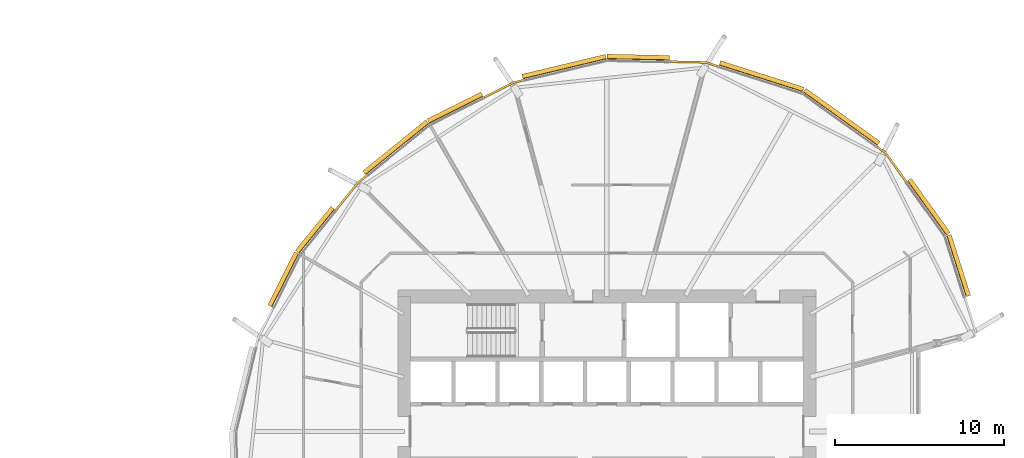
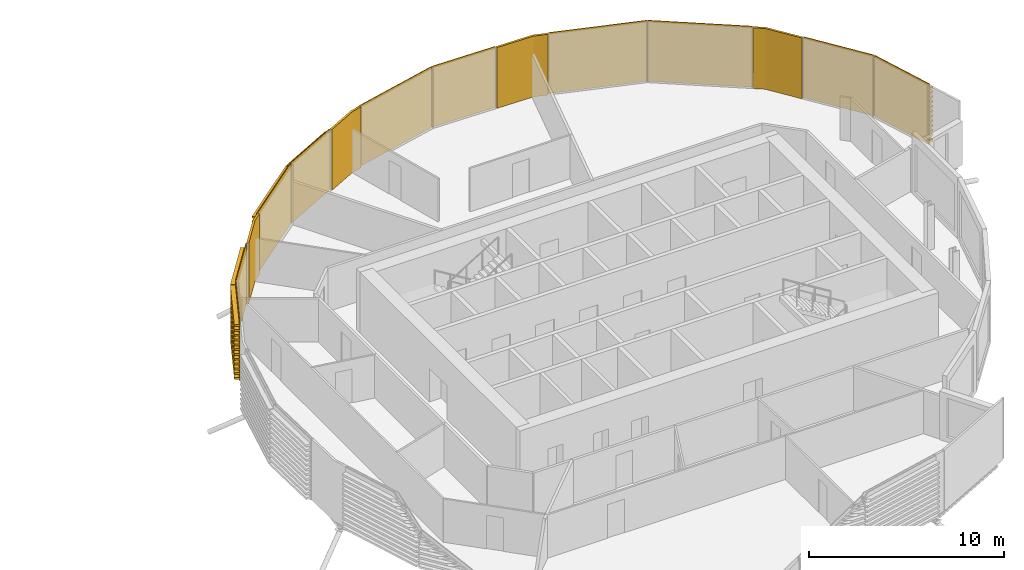
# One storey, part 38 of 38: 14 coverings.
"""IFC4 building model written with IfcOpenShell, lengths in metres."""

from ifc_helpers import new_model, si_unit, direction, frame, origin, place, context, subcontext, project, spatial, polyline, outline, extrude, material, layer, layer_set, material_profile, profile_set, type_object, element, save


model = new_model("IFC4")

# Units and contexts
model_context = context("Model", 3, precision=1e-05, world=origin(), true_north=direction((0.0, 1.0)))
body_context = subcontext(model_context, "Body", "Model", "MODEL_VIEW")
ifc_project = project(units=[si_unit("LENGTHUNIT", "METRE"), si_unit("AREAUNIT", "SQUARE_METRE"), si_unit("VOLUMEUNIT", "CUBIC_METRE"), si_unit("PLANEANGLEUNIT", "RADIAN"), si_unit("MASSUNIT", "GRAM", prefix="KILO")], contexts=[model_context])

# Site, building, storey
site_placement = place(None, origin())
site = spatial("IfcSite", under=ifc_project, at=site_placement, CompositionType="ELEMENT")
building_placement = place(site_placement, origin())
building = spatial("IfcBuilding", under=site, at=building_placement, Name="Rimbun Link Towers", CompositionType="ELEMENT")
storey_placement = place(building_placement, frame((0.0, 0.0, 108.199951171875)))
storey = spatial("IfcBuildingStorey", under=building, at=storey_placement, Name="L26", CompositionType="ELEMENT", Elevation=108.199951171875)

# Coverings
ifc_material_1 = material(Name="Terracotta", Category="masonry")
ifc_layer = layer(ifc_material_1, 0.1201171875)
ifc_layer_set = layer_set([ifc_layer], Name="LINK PIER terracotta cladding 120")
covering_type_1 = type_object("IfcCoveringType", Name="LINK PIER terracotta cladding 120", PredefinedType="CLADDING", material=ifc_layer_set)
covering_1_placement = place(storey_placement, origin())
element("IfcCovering", 1, at=covering_1_placement, inside=storey, type_object=covering_type_1, Name="LINK PIER cladding", PredefinedType="CLADDING", context=body_context, shape_type="SweptSolid", body=[
    extrude(outline(polyline([(47.70947265625, 16.82470703125), (48.21337890625, 16.46337890625), (49.420166015625, 14.781494140625), (49.517578125, 14.8515625), (48.29931640625, 16.54931640625), (47.779541015625, 16.92236328125), (47.70947265625, 16.82470703125)])), origin(), (0.0, 0.0, 1.0), 3.800048828125),
])
covering_2_placement = place(storey_placement, origin())
element("IfcCovering", 2, at=covering_2_placement, inside=storey, type_object=covering_type_1, Name="LINK PIER cladding", PredefinedType="CLADDING", context=body_context, shape_type="SweptSolid", body=[
    extrude(outline(polyline([(35.473388671875, 21.85107421875), (37.593017578125, 21.806396484375), (38.326904296875, 21.5732421875), (38.363037109375, 21.6875), (37.61279296875, 21.926025390625), (35.47607421875, 21.97119140625), (35.473388671875, 21.85107421875)])), origin(), (0.0, 0.0, 1.0), 3.800048828125),
])
covering_3_placement = place(storey_placement, origin())
element("IfcCovering", 3, at=covering_3_placement, inside=storey, type_object=covering_type_1, Name="LINK PIER cladding", PredefinedType="CLADDING", context=body_context, shape_type="SweptSolid", body=[
    extrude(outline(polyline([(24.511962890625, 19.747314453125), (26.227783203125, 20.60888671875), (26.7822265625, 20.741455078125), (26.754150390625, 20.8583984375), (26.186279296875, 20.722412109375), (24.458251953125, 19.8544921875), (24.511962890625, 19.747314453125)])), origin(), (0.0, 0.0, 1.0), 3.800048828125),
])
covering_4_placement = place(storey_placement, origin())
element("IfcCovering", 4, at=covering_4_placement, inside=storey, type_object=covering_type_1, Name="LINK PIER cladding", PredefinedType="CLADDING", context=body_context, shape_type="SweptSolid", body=[
    extrude(outline(polyline([(15.748291015625, 13.09033203125), (17.050537109375, 14.699462890625), (17.532470703125, 15.08935546875), (17.45703125, 15.182861328125), (16.96533203125, 14.78466796875), (15.655029296875, 13.166015625), (15.748291015625, 13.09033203125)])), origin(), (0.0, 0.0, 1.0), 3.800048828125),
])
ifc_material_2 = material(Name="Terracotta", Category="masonry")
ifc_material_profile = material_profile(ifc_material_2, outline(polyline([(0.123046875, 0.0), (0.1630859375, 0.0), (0.1630859375, 0.10009765625), (0.423095703125, 0.10009765625), (0.423095703125, 0.219970703125), (0.1630859375, 0.219970703125), (0.1630859375, 0.39990234375), (0.423095703125, 0.39990234375), (0.423095703125, 0.52001953125), (0.1630859375, 0.52001953125), (0.1630859375, 0.699951171875), (0.423095703125, 0.699951171875), (0.423095703125, 0.820068359375), (0.1630859375, 0.820068359375), (0.1630859375, 1.0), (0.423095703125, 1.0), (0.423095703125, 1.1201171875), (0.1630859375, 1.1201171875), (0.1630859375, 1.300048828125), (0.423095703125, 1.300048828125), (0.423095703125, 1.419921875), (0.1630859375, 1.419921875), (0.1630859375, 1.60009765625), (0.423095703125, 1.60009765625), (0.423095703125, 1.719970703125), (0.1630859375, 1.719970703125), (0.1630859375, 1.89990234375), (0.423095703125, 1.89990234375), (0.423095703125, 2.02001953125), (0.1630859375, 2.02001953125), (0.1630859375, 2.199951171875), (0.423095703125, 2.199951171875), (0.423095703125, 2.320068359375), (0.1630859375, 2.320068359375), (0.1630859375, 2.5), (0.423095703125, 2.5), (0.423095703125, 2.6201171875), (0.1630859375, 2.6201171875), (0.1630859375, 2.800048828125), (0.423095703125, 2.800048828125), (0.423095703125, 2.919921875), (0.1630859375, 2.919921875), (0.1630859375, 3.10009765625), (0.423095703125, 3.10009765625), (0.423095703125, 3.219970703125), (0.1630859375, 3.219970703125), (0.1630859375, 3.39990234375), (0.423095703125, 3.39990234375), (0.423095703125, 3.52001953125), (0.1630859375, 3.52001953125), (0.1630859375, 3.800048828125), (0.123046875, 3.800048828125), (0.123046875, 0.0)])), Name="BAGUETTE 120X300")
ifc_profile_set = profile_set([ifc_material_profile], Name="Terracotta")
covering_type_2 = type_object("IfcCoveringType", Name="TERRACOTTA BAGUETTE 120X300 H3800", PredefinedType="CLADDING", material=ifc_profile_set)
covering_5_placement = place(storey_placement, frame((43.29345703125, 19.99365234375, 0.0), z_axis=(0.812477325977, -0.582992791356, 0.0), x_axis=(0.582992791356, 0.812477325977, 0.0)))
element("IfcCovering", 5, at=covering_5_placement, inside=storey, type_object=covering_type_2, Name="TERRACOTTA BAGUETTE", PredefinedType="CLADDING", context=body_context, shape_type="SweptSolid", body=[
    extrude(outline(polyline([(0.123046875, 0.0), (0.1630859375, 0.0), (0.1630859375, 0.10009765625), (0.423095703125, 0.10009765625), (0.423095703125, 0.219970703125), (0.1630859375, 0.219970703125), (0.1630859375, 0.39990234375), (0.423095703125, 0.39990234375), (0.423095703125, 0.52001953125), (0.1630859375, 0.52001953125), (0.1630859375, 0.699951171875), (0.423095703125, 0.699951171875), (0.423095703125, 0.820068359375), (0.1630859375, 0.820068359375), (0.1630859375, 1.0), (0.423095703125, 1.0), (0.423095703125, 1.1201171875), (0.1630859375, 1.1201171875), (0.1630859375, 1.300048828125), (0.423095703125, 1.300048828125), (0.423095703125, 1.419921875), (0.1630859375, 1.419921875), (0.1630859375, 1.60009765625), (0.423095703125, 1.60009765625), (0.423095703125, 1.719970703125), (0.1630859375, 1.719970703125), (0.1630859375, 1.89990234375), (0.423095703125, 1.89990234375), (0.423095703125, 2.02001953125), (0.1630859375, 2.02001953125), (0.1630859375, 2.199951171875), (0.423095703125, 2.199951171875), (0.423095703125, 2.320068359375), (0.1630859375, 2.320068359375), (0.1630859375, 2.5), (0.423095703125, 2.5), (0.423095703125, 2.6201171875), (0.1630859375, 2.6201171875), (0.1630859375, 2.800048828125), (0.423095703125, 2.800048828125), (0.423095703125, 2.919921875), (0.1630859375, 2.919921875), (0.1630859375, 3.10009765625), (0.423095703125, 3.10009765625), (0.423095703125, 3.219970703125), (0.1630859375, 3.219970703125), (0.1630859375, 3.39990234375), (0.423095703125, 3.39990234375), (0.423095703125, 3.52001953125), (0.1630859375, 3.52001953125), (0.1630859375, 3.800048828125), (0.123046875, 3.800048828125), (0.123046875, 0.0)])), origin(), (0.0, 0.0, 1.0), 5.405517578125),
])
covering_6_placement = place(storey_placement, frame((38.35546875, 21.56396484375, 0.0), z_axis=(0.952974033405, -0.303051961973, 0.0), x_axis=(0.303051961973, 0.952974033405, 0.0)))
element("IfcCovering", 6, at=covering_6_placement, inside=storey, type_object=covering_type_2, Name="TERRACOTTA BAGUETTE", PredefinedType="CLADDING", context=body_context, shape_type="SweptSolid", body=[
    extrude(outline(polyline([(0.123046875, 0.0), (0.1630859375, 0.0), (0.1630859375, 0.10009765625), (0.423095703125, 0.10009765625), (0.423095703125, 0.219970703125), (0.1630859375, 0.219970703125), (0.1630859375, 0.39990234375), (0.423095703125, 0.39990234375), (0.423095703125, 0.52001953125), (0.1630859375, 0.52001953125), (0.1630859375, 0.699951171875), (0.423095703125, 0.699951171875), (0.423095703125, 0.820068359375), (0.1630859375, 0.820068359375), (0.1630859375, 1.0), (0.423095703125, 1.0), (0.423095703125, 1.1201171875), (0.1630859375, 1.1201171875), (0.1630859375, 1.300048828125), (0.423095703125, 1.300048828125), (0.423095703125, 1.419921875), (0.1630859375, 1.419921875), (0.1630859375, 1.60009765625), (0.423095703125, 1.60009765625), (0.423095703125, 1.719970703125), (0.1630859375, 1.719970703125), (0.1630859375, 1.89990234375), (0.423095703125, 1.89990234375), (0.423095703125, 2.02001953125), (0.1630859375, 2.02001953125), (0.1630859375, 2.199951171875), (0.423095703125, 2.199951171875), (0.423095703125, 2.320068359375), (0.1630859375, 2.320068359375), (0.1630859375, 2.5), (0.423095703125, 2.5), (0.423095703125, 2.6201171875), (0.1630859375, 2.6201171875), (0.1630859375, 2.800048828125), (0.423095703125, 2.800048828125), (0.423095703125, 2.919921875), (0.1630859375, 2.919921875), (0.1630859375, 3.10009765625), (0.423095703125, 3.10009765625), (0.423095703125, 3.219970703125), (0.1630859375, 3.219970703125), (0.1630859375, 3.39990234375), (0.423095703125, 3.39990234375), (0.423095703125, 3.52001953125), (0.1630859375, 3.52001953125), (0.1630859375, 3.800048828125), (0.123046875, 3.800048828125), (0.123046875, 0.0)])), origin(), (0.0, 0.0, 1.0), 5.181640625),
])
covering_7_placement = place(storey_placement, frame((31.75, 21.9296875, 0.0), z_axis=(0.999777749096, -0.021082040056, 0.0), x_axis=(0.021082040056, 0.999777749096, 0.0)))
element("IfcCovering", 7, at=covering_7_placement, inside=storey, type_object=covering_type_2, Name="TERRACOTTA BAGUETTE", PredefinedType="CLADDING", context=body_context, shape_type="SweptSolid", body=[
    extrude(outline(polyline([(0.123046875, 0.0), (0.1630859375, 0.0), (0.1630859375, 0.10009765625), (0.423095703125, 0.10009765625), (0.423095703125, 0.219970703125), (0.1630859375, 0.219970703125), (0.1630859375, 0.39990234375), (0.423095703125, 0.39990234375), (0.423095703125, 0.52001953125), (0.1630859375, 0.52001953125), (0.1630859375, 0.699951171875), (0.423095703125, 0.699951171875), (0.423095703125, 0.820068359375), (0.1630859375, 0.820068359375), (0.1630859375, 1.0), (0.423095703125, 1.0), (0.423095703125, 1.1201171875), (0.1630859375, 1.1201171875), (0.1630859375, 1.300048828125), (0.423095703125, 1.300048828125), (0.423095703125, 1.419921875), (0.1630859375, 1.419921875), (0.1630859375, 1.60009765625), (0.423095703125, 1.60009765625), (0.423095703125, 1.719970703125), (0.1630859375, 1.719970703125), (0.1630859375, 1.89990234375), (0.423095703125, 1.89990234375), (0.423095703125, 2.02001953125), (0.1630859375, 2.02001953125), (0.1630859375, 2.199951171875), (0.423095703125, 2.199951171875), (0.423095703125, 2.320068359375), (0.1630859375, 2.320068359375), (0.1630859375, 2.5), (0.423095703125, 2.5), (0.423095703125, 2.6201171875), (0.1630859375, 2.6201171875), (0.1630859375, 2.800048828125), (0.423095703125, 2.800048828125), (0.423095703125, 2.919921875), (0.1630859375, 2.919921875), (0.1630859375, 3.10009765625), (0.423095703125, 3.10009765625), (0.423095703125, 3.219970703125), (0.1630859375, 3.219970703125), (0.1630859375, 3.39990234375), (0.423095703125, 3.39990234375), (0.423095703125, 3.52001953125), (0.1630859375, 3.52001953125), (0.1630859375, 3.800048828125), (0.123046875, 3.800048828125), (0.123046875, 0.0)])), origin(), (0.0, 0.0, 1.0), 3.694091796875),
])
covering_8_placement = place(storey_placement, frame((26.811279296875, 20.74853515625, 0.0), z_axis=(0.972572035212, 0.232601883749, 0.0), x_axis=(-0.232601883749, 0.972572035212, 0.0)))
element("IfcCovering", 8, at=covering_8_placement, inside=storey, type_object=covering_type_2, Name="TERRACOTTA BAGUETTE", PredefinedType="CLADDING", context=body_context, shape_type="SweptSolid", body=[
    extrude(outline(polyline([(0.123046875, 0.0), (0.1630859375, 0.0), (0.1630859375, 0.10009765625), (0.423095703125, 0.10009765625), (0.423095703125, 0.219970703125), (0.1630859375, 0.219970703125), (0.1630859375, 0.39990234375), (0.423095703125, 0.39990234375), (0.423095703125, 0.52001953125), (0.1630859375, 0.52001953125), (0.1630859375, 0.699951171875), (0.423095703125, 0.699951171875), (0.423095703125, 0.820068359375), (0.1630859375, 0.820068359375), (0.1630859375, 1.0), (0.423095703125, 1.0), (0.423095703125, 1.1201171875), (0.1630859375, 1.1201171875), (0.1630859375, 1.300048828125), (0.423095703125, 1.300048828125), (0.423095703125, 1.419921875), (0.1630859375, 1.419921875), (0.1630859375, 1.60009765625), (0.423095703125, 1.60009765625), (0.423095703125, 1.719970703125), (0.1630859375, 1.719970703125), (0.1630859375, 1.89990234375), (0.423095703125, 1.89990234375), (0.423095703125, 2.02001953125), (0.1630859375, 2.02001953125), (0.1630859375, 2.199951171875), (0.423095703125, 2.199951171875), (0.423095703125, 2.320068359375), (0.1630859375, 2.320068359375), (0.1630859375, 2.5), (0.423095703125, 2.5), (0.423095703125, 2.6201171875), (0.1630859375, 2.6201171875), (0.1630859375, 2.800048828125), (0.423095703125, 2.800048828125), (0.423095703125, 2.919921875), (0.1630859375, 2.919921875), (0.1630859375, 3.10009765625), (0.423095703125, 3.10009765625), (0.423095703125, 3.219970703125), (0.1630859375, 3.219970703125), (0.1630859375, 3.39990234375), (0.423095703125, 3.39990234375), (0.423095703125, 3.52001953125), (0.1630859375, 3.52001953125), (0.1630859375, 3.800048828125), (0.123046875, 3.800048828125), (0.123046875, 0.0)])), origin(), (0.0, 0.0, 1.0), 5.077880859375),
])
covering_9_placement = place(storey_placement, frame((21.28466796875, 18.12646484375, 0.0), z_axis=(0.89362135543, 0.448821649565, 0.0), x_axis=(-0.448821649565, 0.89362135543, 0.0)))
element("IfcCovering", 9, at=covering_9_placement, inside=storey, type_object=covering_type_2, Name="TERRACOTTA BAGUETTE", PredefinedType="CLADDING", context=body_context, shape_type="SweptSolid", body=[
    extrude(outline(polyline([(0.123046875, 0.0), (0.1630859375, 0.0), (0.1630859375, 0.10009765625), (0.423095703125, 0.10009765625), (0.423095703125, 0.219970703125), (0.1630859375, 0.219970703125), (0.1630859375, 0.39990234375), (0.423095703125, 0.39990234375), (0.423095703125, 0.52001953125), (0.1630859375, 0.52001953125), (0.1630859375, 0.699951171875), (0.423095703125, 0.699951171875), (0.423095703125, 0.820068359375), (0.1630859375, 0.820068359375), (0.1630859375, 1.0), (0.423095703125, 1.0), (0.423095703125, 1.1201171875), (0.1630859375, 1.1201171875), (0.1630859375, 1.300048828125), (0.423095703125, 1.300048828125), (0.423095703125, 1.419921875), (0.1630859375, 1.419921875), (0.1630859375, 1.60009765625), (0.423095703125, 1.60009765625), (0.423095703125, 1.719970703125), (0.1630859375, 1.719970703125), (0.1630859375, 1.89990234375), (0.423095703125, 1.89990234375), (0.423095703125, 2.02001953125), (0.1630859375, 2.02001953125), (0.1630859375, 2.199951171875), (0.423095703125, 2.199951171875), (0.423095703125, 2.320068359375), (0.1630859375, 2.320068359375), (0.1630859375, 2.5), (0.423095703125, 2.5), (0.423095703125, 2.6201171875), (0.1630859375, 2.6201171875), (0.1630859375, 2.800048828125), (0.423095703125, 2.800048828125), (0.423095703125, 2.919921875), (0.1630859375, 2.919921875), (0.1630859375, 3.10009765625), (0.423095703125, 3.10009765625), (0.423095703125, 3.219970703125), (0.1630859375, 3.219970703125), (0.1630859375, 3.39990234375), (0.423095703125, 3.39990234375), (0.423095703125, 3.52001953125), (0.1630859375, 3.52001953125), (0.1630859375, 3.800048828125), (0.123046875, 3.800048828125), (0.123046875, 0.0)])), origin(), (0.0, 0.0, 1.0), 3.58154296875),
])
covering_10_placement = place(storey_placement, frame((17.555908203125, 15.1083984375, 0.0), z_axis=(0.777291090746, 0.629141129038, 0.0), x_axis=(-0.629141129038, 0.777291090746, 0.0)))
element("IfcCovering", 10, at=covering_10_placement, inside=storey, type_object=covering_type_2, Name="TERRACOTTA BAGUETTE", PredefinedType="CLADDING", context=body_context, shape_type="SweptSolid", body=[
    extrude(outline(polyline([(0.123046875, 0.0), (0.1630859375, 0.0), (0.1630859375, 0.10009765625), (0.423095703125, 0.10009765625), (0.423095703125, 0.219970703125), (0.1630859375, 0.219970703125), (0.1630859375, 0.39990234375), (0.423095703125, 0.39990234375), (0.423095703125, 0.52001953125), (0.1630859375, 0.52001953125), (0.1630859375, 0.699951171875), (0.423095703125, 0.699951171875), (0.423095703125, 0.820068359375), (0.1630859375, 0.820068359375), (0.1630859375, 1.0), (0.423095703125, 1.0), (0.423095703125, 1.1201171875), (0.1630859375, 1.1201171875), (0.1630859375, 1.300048828125), (0.423095703125, 1.300048828125), (0.423095703125, 1.419921875), (0.1630859375, 1.419921875), (0.1630859375, 1.60009765625), (0.423095703125, 1.60009765625), (0.423095703125, 1.719970703125), (0.1630859375, 1.719970703125), (0.1630859375, 1.89990234375), (0.423095703125, 1.89990234375), (0.423095703125, 2.02001953125), (0.1630859375, 2.02001953125), (0.1630859375, 2.199951171875), (0.423095703125, 2.199951171875), (0.423095703125, 2.320068359375), (0.1630859375, 2.320068359375), (0.1630859375, 2.5), (0.423095703125, 2.5), (0.423095703125, 2.6201171875), (0.1630859375, 2.6201171875), (0.1630859375, 2.800048828125), (0.423095703125, 2.800048828125), (0.423095703125, 2.919921875), (0.1630859375, 2.919921875), (0.1630859375, 3.10009765625), (0.423095703125, 3.10009765625), (0.423095703125, 3.219970703125), (0.1630859375, 3.219970703125), (0.1630859375, 3.39990234375), (0.423095703125, 3.39990234375), (0.423095703125, 3.52001953125), (0.1630859375, 3.52001953125), (0.1630859375, 3.800048828125), (0.123046875, 3.800048828125), (0.123046875, 0.0)])), origin(), (0.0, 0.0, 1.0), 4.797119140625),
])
covering_11_placement = place(storey_placement, frame((13.62353515625, 10.46533203125, 0.0), z_axis=(0.629149969491, 0.77728393518, 0.0), x_axis=(-0.77728393518, 0.629149969491, 0.0)))
element("IfcCovering", 11, at=covering_11_placement, inside=storey, type_object=covering_type_2, Name="TERRACOTTA BAGUETTE", PredefinedType="CLADDING", context=body_context, shape_type="SweptSolid", body=[
    extrude(outline(polyline([(0.123046875, 0.0), (0.1630859375, 0.0), (0.1630859375, 0.10009765625), (0.423095703125, 0.10009765625), (0.423095703125, 0.219970703125), (0.1630859375, 0.219970703125), (0.1630859375, 0.39990234375), (0.423095703125, 0.39990234375), (0.423095703125, 0.52001953125), (0.1630859375, 0.52001953125), (0.1630859375, 0.699951171875), (0.423095703125, 0.699951171875), (0.423095703125, 0.820068359375), (0.1630859375, 0.820068359375), (0.1630859375, 1.0), (0.423095703125, 1.0), (0.423095703125, 1.1201171875), (0.1630859375, 1.1201171875), (0.1630859375, 1.300048828125), (0.423095703125, 1.300048828125), (0.423095703125, 1.419921875), (0.1630859375, 1.419921875), (0.1630859375, 1.60009765625), (0.423095703125, 1.60009765625), (0.423095703125, 1.719970703125), (0.1630859375, 1.719970703125), (0.1630859375, 1.89990234375), (0.423095703125, 1.89990234375), (0.423095703125, 2.02001953125), (0.1630859375, 2.02001953125), (0.1630859375, 2.199951171875), (0.423095703125, 2.199951171875), (0.423095703125, 2.320068359375), (0.1630859375, 2.320068359375), (0.1630859375, 2.5), (0.423095703125, 2.5), (0.423095703125, 2.6201171875), (0.1630859375, 2.6201171875), (0.1630859375, 2.800048828125), (0.423095703125, 2.800048828125), (0.423095703125, 2.919921875), (0.1630859375, 2.919921875), (0.1630859375, 3.10009765625), (0.423095703125, 3.10009765625), (0.423095703125, 3.219970703125), (0.1630859375, 3.219970703125), (0.1630859375, 3.39990234375), (0.423095703125, 3.39990234375), (0.423095703125, 3.52001953125), (0.1630859375, 3.52001953125), (0.1630859375, 3.800048828125), (0.123046875, 3.800048828125), (0.123046875, 0.0)])), origin(), (0.0, 0.0, 1.0), 3.347412109375),
])
covering_12_placement = place(storey_placement, frame((12.03857421875, 7.3095703125, 0.0), z_axis=(0.448816781163, 0.893623800571, 0.0), x_axis=(-0.893623800571, 0.448816781163, 0.0)))
element("IfcCovering", 12, at=covering_12_placement, inside=storey, type_object=covering_type_2, Name="TERRACOTTA BAGUETTE", PredefinedType="CLADDING", context=body_context, shape_type="SweptSolid", body=[
    extrude(outline(polyline([(0.123046875, 0.0), (0.1630859375, 0.0), (0.1630859375, 0.10009765625), (0.423095703125, 0.10009765625), (0.423095703125, 0.219970703125), (0.1630859375, 0.219970703125), (0.1630859375, 0.39990234375), (0.423095703125, 0.39990234375), (0.423095703125, 0.52001953125), (0.1630859375, 0.52001953125), (0.1630859375, 0.699951171875), (0.423095703125, 0.699951171875), (0.423095703125, 0.820068359375), (0.1630859375, 0.820068359375), (0.1630859375, 1.0), (0.423095703125, 1.0), (0.423095703125, 1.1201171875), (0.1630859375, 1.1201171875), (0.1630859375, 1.300048828125), (0.423095703125, 1.300048828125), (0.423095703125, 1.419921875), (0.1630859375, 1.419921875), (0.1630859375, 1.60009765625), (0.423095703125, 1.60009765625), (0.423095703125, 1.719970703125), (0.1630859375, 1.719970703125), (0.1630859375, 1.89990234375), (0.423095703125, 1.89990234375), (0.423095703125, 2.02001953125), (0.1630859375, 2.02001953125), (0.1630859375, 2.199951171875), (0.423095703125, 2.199951171875), (0.423095703125, 2.320068359375), (0.1630859375, 2.320068359375), (0.1630859375, 2.5), (0.423095703125, 2.5), (0.423095703125, 2.6201171875), (0.1630859375, 2.6201171875), (0.1630859375, 2.800048828125), (0.423095703125, 2.800048828125), (0.423095703125, 2.919921875), (0.1630859375, 2.919921875), (0.1630859375, 3.10009765625), (0.423095703125, 3.10009765625), (0.423095703125, 3.219970703125), (0.1630859375, 3.219970703125), (0.1630859375, 3.39990234375), (0.423095703125, 3.39990234375), (0.423095703125, 3.52001953125), (0.1630859375, 3.52001953125), (0.1630859375, 3.800048828125), (0.123046875, 3.800048828125), (0.123046875, 0.0)])), origin(), (0.0, 0.0, 1.0), 3.531494140625),
])
covering_13_placement = place(storey_placement, frame((51.74365234375, 11.54345703125, 0.0), z_axis=(0.303086414115, -0.952963076713, 0.0), x_axis=(0.952963076713, 0.303086414115, 0.0)))
element("IfcCovering", 13, at=covering_13_placement, inside=storey, type_object=covering_type_2, Name="TERRACOTTA BAGUETTE", PredefinedType="CLADDING", context=body_context, shape_type="SweptSolid", body=[
    extrude(outline(polyline([(0.123046875, 0.0), (0.1630859375, 0.0), (0.1630859375, 0.10009765625), (0.423095703125, 0.10009765625), (0.423095703125, 0.219970703125), (0.1630859375, 0.219970703125), (0.1630859375, 0.39990234375), (0.423095703125, 0.39990234375), (0.423095703125, 0.52001953125), (0.1630859375, 0.52001953125), (0.1630859375, 0.699951171875), (0.423095703125, 0.699951171875), (0.423095703125, 0.820068359375), (0.1630859375, 0.820068359375), (0.1630859375, 1.0), (0.423095703125, 1.0), (0.423095703125, 1.1201171875), (0.1630859375, 1.1201171875), (0.1630859375, 1.300048828125), (0.423095703125, 1.300048828125), (0.423095703125, 1.419921875), (0.1630859375, 1.419921875), (0.1630859375, 1.60009765625), (0.423095703125, 1.60009765625), (0.423095703125, 1.719970703125), (0.1630859375, 1.719970703125), (0.1630859375, 1.89990234375), (0.423095703125, 1.89990234375), (0.423095703125, 2.02001953125), (0.1630859375, 2.02001953125), (0.1630859375, 2.199951171875), (0.423095703125, 2.199951171875), (0.423095703125, 2.320068359375), (0.1630859375, 2.320068359375), (0.1630859375, 2.5), (0.423095703125, 2.5), (0.423095703125, 2.6201171875), (0.1630859375, 2.6201171875), (0.1630859375, 2.800048828125), (0.423095703125, 2.800048828125), (0.423095703125, 2.919921875), (0.1630859375, 2.919921875), (0.1630859375, 3.10009765625), (0.423095703125, 3.10009765625), (0.423095703125, 3.219970703125), (0.1630859375, 3.219970703125), (0.1630859375, 3.39990234375), (0.423095703125, 3.39990234375), (0.423095703125, 3.52001953125), (0.1630859375, 3.52001953125), (0.1630859375, 3.800048828125), (0.123046875, 3.800048828125), (0.123046875, 0.0)])), origin(), (0.0, 0.0, 1.0), 3.781982421875),
])
covering_14_placement = place(storey_placement, frame((49.4375, 14.757080078125, 0.0), z_axis=(0.583029233752, -0.812451175512, 0.0), x_axis=(0.812451175512, 0.583029233752, 0.0)))
element("IfcCovering", 14, at=covering_14_placement, inside=storey, type_object=covering_type_2, Name="TERRACOTTA BAGUETTE", PredefinedType="CLADDING", context=body_context, shape_type="SweptSolid", body=[
    extrude(outline(polyline([(0.123046875, 0.0), (0.1630859375, 0.0), (0.1630859375, 0.10009765625), (0.423095703125, 0.10009765625), (0.423095703125, 0.219970703125), (0.1630859375, 0.219970703125), (0.1630859375, 0.39990234375), (0.423095703125, 0.39990234375), (0.423095703125, 0.52001953125), (0.1630859375, 0.52001953125), (0.1630859375, 0.699951171875), (0.423095703125, 0.699951171875), (0.423095703125, 0.820068359375), (0.1630859375, 0.820068359375), (0.1630859375, 1.0), (0.423095703125, 1.0), (0.423095703125, 1.1201171875), (0.1630859375, 1.1201171875), (0.1630859375, 1.300048828125), (0.423095703125, 1.300048828125), (0.423095703125, 1.419921875), (0.1630859375, 1.419921875), (0.1630859375, 1.60009765625), (0.423095703125, 1.60009765625), (0.423095703125, 1.719970703125), (0.1630859375, 1.719970703125), (0.1630859375, 1.89990234375), (0.423095703125, 1.89990234375), (0.423095703125, 2.02001953125), (0.1630859375, 2.02001953125), (0.1630859375, 2.199951171875), (0.423095703125, 2.199951171875), (0.423095703125, 2.320068359375), (0.1630859375, 2.320068359375), (0.1630859375, 2.5), (0.423095703125, 2.5), (0.423095703125, 2.6201171875), (0.1630859375, 2.6201171875), (0.1630859375, 2.800048828125), (0.423095703125, 2.800048828125), (0.423095703125, 2.919921875), (0.1630859375, 2.919921875), (0.1630859375, 3.10009765625), (0.423095703125, 3.10009765625), (0.423095703125, 3.219970703125), (0.1630859375, 3.219970703125), (0.1630859375, 3.39990234375), (0.423095703125, 3.39990234375), (0.423095703125, 3.52001953125), (0.1630859375, 3.52001953125), (0.1630859375, 3.800048828125), (0.123046875, 3.800048828125), (0.123046875, 0.0)])), origin(), (0.0, 0.0, 1.0), 3.95556640625),
])

save(model, "model.ifc")
